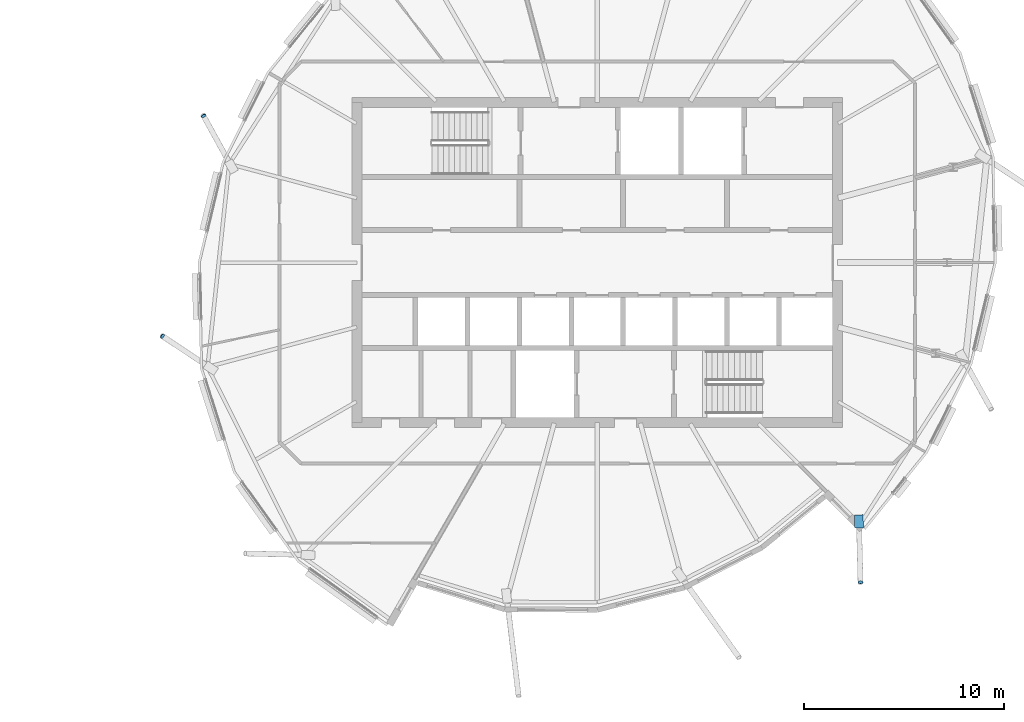
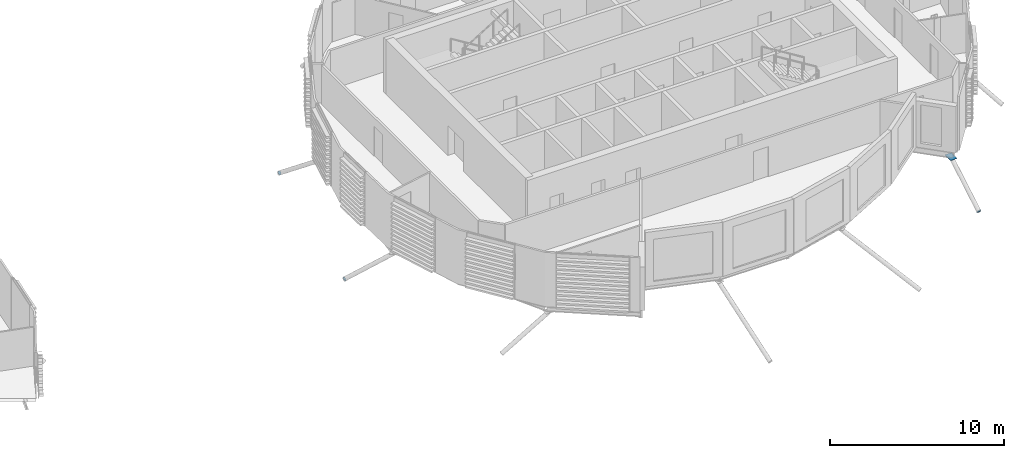
# One storey, part 32 of 41: 4 discrete accessories.
"""IFC4 building model written with IfcOpenShell, lengths in metres."""

from ifc_helpers import new_model, si_unit, direction, frame, origin, origin_2d, place, context, subcontext, project, spatial, polyline, rectangle, circle, outline, extrude, material, material_profile, profile_set, type_object, element, save


model = new_model("IFC4")

# Units and contexts
model_context = context("Model", 3, precision=1e-05, world=origin(), true_north=direction((0.0, 1.0)))
body_context = subcontext(model_context, "Body", "Model", "MODEL_VIEW")
ifc_project = project(units=[si_unit("LENGTHUNIT", "METRE"), si_unit("AREAUNIT", "SQUARE_METRE"), si_unit("VOLUMEUNIT", "CUBIC_METRE"), si_unit("PLANEANGLEUNIT", "RADIAN"), si_unit("MASSUNIT", "GRAM", prefix="KILO")], contexts=[model_context])

# Site, building, storey
site_placement = place(None, origin())
site = spatial("IfcSite", under=ifc_project, at=site_placement, CompositionType="ELEMENT")
building_placement = place(site_placement, origin())
building = spatial("IfcBuilding", under=site, at=building_placement, Name="Rimbun Link Towers", CompositionType="ELEMENT")
storey_placement = place(building_placement, frame((0.0, 0.0, 214.300048828125)))
storey = spatial("IfcBuildingStorey", under=building, at=storey_placement, Name="L52", CompositionType="ELEMENT", Elevation=214.300048828125)

# Discrete accessories
ifc_material_1 = material(Name="Steel S355J2H", Category="steel")
ifc_material_profile_1 = material_profile(ifc_material_1, circle(Radius=0.1240234375, at=origin_2d()), Name="PL D248")
ifc_profile_set_1 = profile_set([ifc_material_profile_1], Name="Steel S355J2H")
discrete_accessory_type_1 = type_object("IfcDiscreteAccessoryType", Name="Link foot sealing plate D248X20", PredefinedType="BRACKET", material=ifc_profile_set_1)
for number, where, z_axis, x_axis, name in (
    (1, (12.074951171875, 7.326904296875, -2.510009765625), (-0.403581038704, 0.721553978288, -0.562567508496), (-0.872758147123, -0.48815286195, 0.0), "Link foot sealing plate T2 L52 08"),
    (2, (10.026611328125, -3.683837890625, -2.540283203125), (-0.694605630899, 0.4508843569, -0.560558930199), (-0.544471008486, -0.838779661722, 0.0), "Link foot sealing plate T2 L52 10"),
    (3, (44.90869140625, -15.9716796875, -2.549072265625), (0.024520043366, -0.83368147445, -0.551700975739), (0.999567754464, 0.029399051602, 0.0), "Link foot sealing plate T2 L52 18"),
):
    element("IfcDiscreteAccessory", number, at=place(storey_placement, frame(where, z_axis=z_axis, x_axis=x_axis)), inside=storey, type_object=discrete_accessory_type_1, Name=name, PredefinedType="BRACKET", context=body_context, shape_type="SweptSolid", body=[
        extrude(circle(Radius=0.1240234375, at=origin_2d()), origin(), (0.0, 0.0, 1.0), 0.02001953125),
    ])
ifc_material_2 = material(Name="Steel S355J2H", Category="steel")
ifc_material_profile_2 = material_profile(ifc_material_2, rectangle(XDim=0.43310546875, YDim=0.43310546875, at=origin_2d()), Name="PL 433x433")
ifc_profile_set_2 = profile_set([ifc_material_profile_2], Name="Steel S355J2H")
discrete_accessory_type_2 = type_object("IfcDiscreteAccessoryType", Name="Link head end plate 433X20", PredefinedType="BRACKET", material=ifc_profile_set_2)
discrete_accessory_placement = place(storey_placement, frame((0.0, 0.0, -0.56640625)))
element("IfcDiscreteAccessory", 4, at=discrete_accessory_placement, inside=storey, type_object=discrete_accessory_type_2, Name="Link head end plate T2 L52 18", PredefinedType="BRACKET", context=body_context, shape_type="SweptSolid", body=[
    extrude(outline(polyline([(44.604248046875, -12.614990234375), (44.62158203125, -13.273681640625), (45.054443359375, -13.262451171875), (45.037109375, -12.603515625), (44.604248046875, -12.614990234375)])), origin(), (0.0, 0.0, 1.0), 0.02001953125),
])

save(model, "model.ifc")
